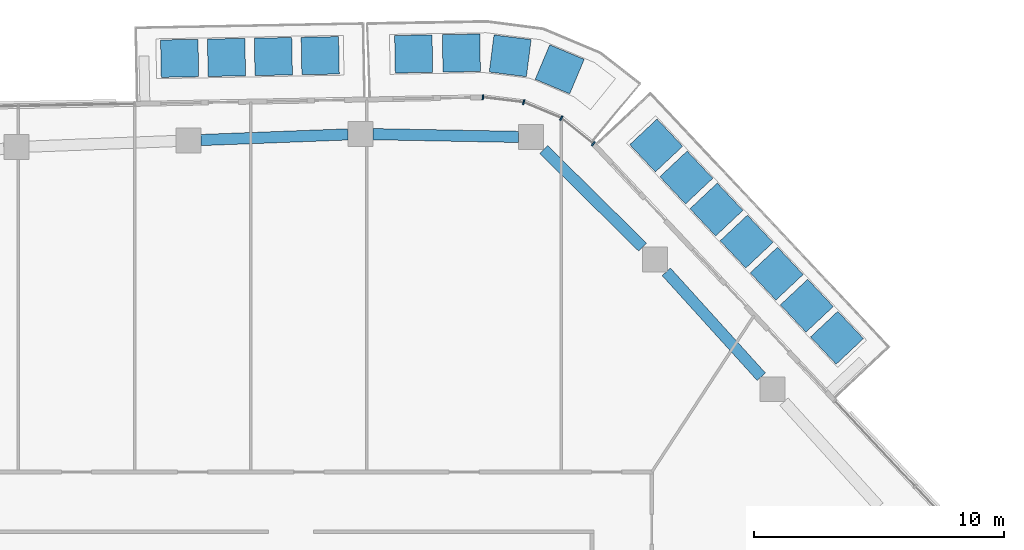
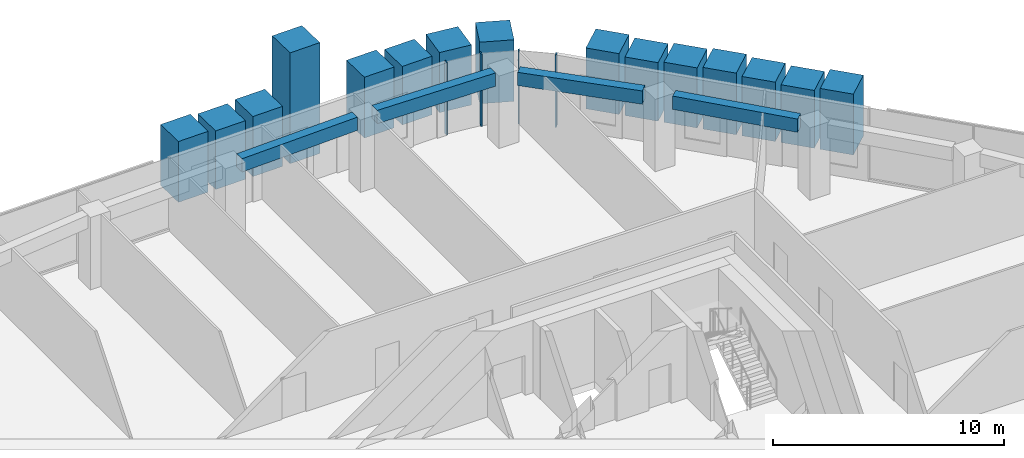
# One storey, part 9 of 24: 19 members, 4 beams, 1 element without a shape of its own.
"""IFC4 building model written with IfcOpenShell, lengths in metres."""

from ifc_helpers import new_model, si_unit, direction, frame, origin, origin_2d, place, context, subcontext, project, spatial, rectangle, extrude, material, layer, layer_set, material_profile, profile_set, type_object, element, aggregate, save


model = new_model("IFC4")

# Units and contexts
model_context = context("Model", 3, precision=1e-05, world=origin(), true_north=direction((0.0, 1.0)))
body_context = subcontext(model_context, "Body", "Model", "MODEL_VIEW")
ifc_project = project(units=[si_unit("LENGTHUNIT", "METRE"), si_unit("AREAUNIT", "SQUARE_METRE"), si_unit("VOLUMEUNIT", "CUBIC_METRE"), si_unit("PLANEANGLEUNIT", "RADIAN"), si_unit("MASSUNIT", "GRAM", prefix="KILO")], contexts=[model_context])

# Site, building, storey
site_placement = place(None, origin())
site = spatial("IfcSite", under=ifc_project, at=site_placement, CompositionType="ELEMENT")
building_placement = place(site_placement, origin())
building = spatial("IfcBuilding", under=site, at=building_placement, Name="Dongbaek Canopy Tower", CompositionType="ELEMENT")
storey_placement = place(building_placement, frame((0.0, 0.0, 302.60009765625)))
storey = spatial("IfcBuildingStorey", under=building, at=storey_placement, Name="L64", CompositionType="ELEMENT", Elevation=302.60009765625)

# Curtain wall, members
ifc_material_1 = material(Name="Aluminium 6063-T6 pale anodised", Category="aluminium")
ifc_layer = layer(ifc_material_1, 0.199951171875)
ifc_layer_set = layer_set([ifc_layer], Name="CW-1 unitised tower curtain wall")
curtain_wall_type = type_object("IfcCurtainWallType", Name="CW-1 unitised tower curtain wall", PredefinedType="NOTDEFINED", material=ifc_layer_set)
curtain_wall_placement = place(storey_placement, origin())
curtain_wall = element("IfcCurtainWall", 1, at=curtain_wall_placement, inside=storey, type_object=curtain_wall_type, Name="CW-1 curtain wall K1.1", PredefinedType="NOTDEFINED")
ifc_material_2 = material(Name="Aluminium 6063-T6 pale anodised", Category="aluminium")
ifc_material_profile_1 = material_profile(ifc_material_2, rectangle(XDim=0.199951171875, YDim=0.06005859375, at=origin_2d()), Name="CW-1 mullion 60 x 200")
ifc_profile_set_1 = profile_set([ifc_material_profile_1], Name="Aluminium 6063-T6 pale anodised")
member_type_1 = type_object("IfcMemberType", Name="CW-1 mullion 60 x 200", PredefinedType="MULLION", material=ifc_profile_set_1)
member_1_placement = place(storey_placement, frame((14.805419921875, 27.29736328125, 0.0), z_axis=(0.0, 0.0, 1.0), x_axis=(0.626615855396, 0.779328281128, 0.0)))
member_1 = element("IfcMember", 2, at=member_1_placement, type_object=member_type_1, Name="CW-1 mullion K1.1.1", PredefinedType="MULLION", context=body_context, shape_type="SweptSolid", body=[
    extrude(rectangle(XDim=0.199951171875, YDim=0.06005859375, at=origin_2d()), origin(), (0.0, 0.0, 1.0), 3.81982421875),
])
member_2_placement = place(storey_placement, frame((13.524169921875, 28.32763671875, 0.0), z_axis=(0.0, 0.0, 1.0), x_axis=(0.512403508149, 0.85874480775, 0.0)))
member_2 = element("IfcMember", 3, at=member_2_placement, type_object=member_type_1, Name="CW-1 mullion K1.1.2", PredefinedType="MULLION", context=body_context, shape_type="SweptSolid", body=[
    extrude(rectangle(XDim=0.199951171875, YDim=0.06005859375, at=origin_2d()), origin(), (0.0, 0.0, 1.0), 3.81982421875),
])
member_3_placement = place(storey_placement, frame((12.015380859375, 28.96337890625, 0.0), z_axis=(0.0, 0.0, 1.0), x_axis=(0.256633626834, 0.966508759183, 0.0)))
member_3 = element("IfcMember", 4, at=member_3_placement, type_object=member_type_1, Name="CW-1 mullion K1.1.3", PredefinedType="MULLION", context=body_context, shape_type="SweptSolid", body=[
    extrude(rectangle(XDim=0.199951171875, YDim=0.06005859375, at=origin_2d()), origin(), (0.0, 0.0, 1.0), 3.81982421875),
])
member_4_placement = place(storey_placement, frame((10.3828125, 29.16064453125, 0.0), z_axis=(0.0, 0.0, 1.0), x_axis=(0.120025609533, 0.992770795832, 0.0)))
member_4 = element("IfcMember", 5, at=member_4_placement, type_object=member_type_1, Name="CW-1 mullion K1.1.4", PredefinedType="MULLION", context=body_context, shape_type="SweptSolid", body=[
    extrude(rectangle(XDim=0.199951171875, YDim=0.06005859375, at=origin_2d()), origin(), (0.0, 0.0, 1.0), 3.81982421875),
])
aggregate(curtain_wall, [member_1, member_2, member_3, member_4])

# Beams
ifc_material_3 = material(Name="Concrete C60", Category="concrete")
ifc_material_profile_2 = material_profile(ifc_material_3, rectangle(XDim=0.449951171875, YDim=0.699951171875, at=origin_2d()), Name="RC EDGE BEAM 450x700 C60")
ifc_profile_set_2 = profile_set([ifc_material_profile_2], Name="Concrete C60")
beam_type = type_object("IfcBeamType", Name="RC EDGE BEAM 450x700 C60", PredefinedType="BEAM", material=ifc_profile_set_2)
beam_1_placement = place(storey_placement, frame((-0.91796875, 27.447265625, 3.469970703125), z_axis=(0.999267098379, 0.038278794366, 0.0), x_axis=(-0.038278794366, 0.999267098379, 0.0)))
element("IfcBeam", 6, at=beam_1_placement, inside=storey, type_object=beam_type, Name="EDGEBEAM:L64:15", PredefinedType="BEAM", context=body_context, shape_type="SweptSolid", body=[
    extrude(rectangle(XDim=0.449951171875, YDim=0.699951171875, at=origin_2d()), origin(), (0.0, 0.0, 1.0), 5.893310546875),
])
beam_2_placement = place(storey_placement, frame((5.970947265625, 27.6826171875, 3.469970703125), z_axis=(0.99982249395, -0.018840928625, 0.0), x_axis=(0.018840928625, 0.99982249395, 0.0)))
element("IfcBeam", 7, at=beam_2_placement, inside=storey, type_object=beam_type, Name="EDGEBEAM:L64:16", PredefinedType="BEAM", context=body_context, shape_type="SweptSolid", body=[
    extrude(rectangle(XDim=0.449951171875, YDim=0.699951171875, at=origin_2d()), origin(), (0.0, 0.0, 1.0), 5.843994140625),
])
beam_3_placement = place(storey_placement, frame((12.81396484375, 27.069580078125, 3.469970703125), z_axis=(0.711740530271, -0.702442465665, 0.0), x_axis=(0.702442465665, 0.711740530271, 0.0)))
element("IfcBeam", 8, at=beam_3_placement, inside=storey, type_object=beam_type, Name="EDGEBEAM:L64:17", PredefinedType="BEAM", context=body_context, shape_type="SweptSolid", body=[
    extrude(rectangle(XDim=0.449951171875, YDim=0.699951171875, at=origin_2d()), origin(), (0.0, 0.0, 1.0), 5.56640625),
])
beam_4_placement = place(storey_placement, frame((17.72900390625, 22.166015625, 3.469970703125), z_axis=(0.67133921348, -0.741150227986, 0.0), x_axis=(0.741150227986, 0.67133921348, 0.0)))
element("IfcBeam", 9, at=beam_4_placement, inside=storey, type_object=beam_type, Name="EDGEBEAM:L64:18", PredefinedType="BEAM", context=body_context, shape_type="SweptSolid", body=[
    extrude(rectangle(XDim=0.449951171875, YDim=0.699951171875, at=origin_2d()), origin(), (0.0, 0.0, 1.0), 5.67236328125),
])

# Members
ifc_material_4 = material(Name="Concrete C40/50 planter mass with planting", Category="concrete")
ifc_material_profile_3 = material_profile(ifc_material_4, rectangle(XDim=1.5, YDim=1.5, at=origin_2d()), Name="Terrace PLANTER shrub mass 1500 x 1500")
ifc_profile_set_3 = profile_set([ifc_material_profile_3], Name="Concrete C40/50 planter mass with planting")
member_type_2 = type_object("IfcMemberType", Name="Terrace PLANTER shrub mass 1500 x 1500", PredefinedType="USERDEFINED", material=ifc_profile_set_3)
member_5_placement = place(storey_placement, frame((24.567138671875, 19.524169921875, 0.419921875), z_axis=(0.0, 0.0, 1.0), x_axis=(0.728702280393, 0.684830626177, 0.0)))
element("IfcMember", 10, at=member_5_placement, inside=storey, type_object=member_type_2, Name="Planter shrubs L64 1.1", ObjectType="PLANTER", PredefinedType="USERDEFINED", context=body_context, shape_type="SweptSolid", body=[
    extrude(rectangle(XDim=1.5, YDim=1.5, at=origin_2d()), origin(), (0.0, 0.0, 1.0), 3.2099609375),
])
member_6_placement = place(storey_placement, frame((23.360107421875, 20.80859375, 0.419921875), z_axis=(0.0, 0.0, 1.0), x_axis=(0.728702280393, 0.684830626177, 0.0)))
element("IfcMember", 11, at=member_6_placement, inside=storey, type_object=member_type_2, Name="Planter shrubs L64 1.2", ObjectType="PLANTER", PredefinedType="USERDEFINED", context=body_context, shape_type="SweptSolid", body=[
    extrude(rectangle(XDim=1.5, YDim=1.5, at=origin_2d()), origin(), (0.0, 0.0, 1.0), 3.050048828125),
])
member_7_placement = place(storey_placement, frame((22.153076171875, 22.0927734375, 0.419921875), z_axis=(0.0, 0.0, 1.0), x_axis=(0.728702280393, 0.684830626177, 0.0)))
element("IfcMember", 12, at=member_7_placement, inside=storey, type_object=member_type_2, Name="Planter shrubs L64 1.3", ObjectType="PLANTER", PredefinedType="USERDEFINED", context=body_context, shape_type="SweptSolid", body=[
    extrude(rectangle(XDim=1.5, YDim=1.5, at=origin_2d()), origin(), (0.0, 0.0, 1.0), 3.1298828125),
])
member_8_placement = place(storey_placement, frame((20.946044921875, 23.377197265625, 0.419921875), z_axis=(0.0, 0.0, 1.0), x_axis=(0.728702280393, 0.684830626177, 0.0)))
element("IfcMember", 13, at=member_8_placement, inside=storey, type_object=member_type_2, Name="Planter shrubs L64 1.4", ObjectType="PLANTER", PredefinedType="USERDEFINED", context=body_context, shape_type="SweptSolid", body=[
    extrude(rectangle(XDim=1.5, YDim=1.5, at=origin_2d()), origin(), (0.0, 0.0, 1.0), 3.25),
])
member_9_placement = place(storey_placement, frame((19.739013671875, 24.66162109375, 0.419921875), z_axis=(0.0, 0.0, 1.0), x_axis=(0.728702280393, 0.684830626177, 0.0)))
element("IfcMember", 14, at=member_9_placement, inside=storey, type_object=member_type_2, Name="Planter shrubs L64 1.5", ObjectType="PLANTER", PredefinedType="USERDEFINED", context=body_context, shape_type="SweptSolid", body=[
    extrude(rectangle(XDim=1.5, YDim=1.5, at=origin_2d()), origin(), (0.0, 0.0, 1.0), 3.169921875),
])
member_10_placement = place(storey_placement, frame((18.531982421875, 25.94580078125, 0.419921875), z_axis=(0.0, 0.0, 1.0), x_axis=(0.728702280393, 0.684830626177, 0.0)))
element("IfcMember", 15, at=member_10_placement, inside=storey, type_object=member_type_2, Name="Planter shrubs L64 1.6", ObjectType="PLANTER", PredefinedType="USERDEFINED", context=body_context, shape_type="SweptSolid", body=[
    extrude(rectangle(XDim=1.5, YDim=1.5, at=origin_2d()), origin(), (0.0, 0.0, 1.0), 3.090087890625),
])
member_11_placement = place(storey_placement, frame((17.324951171875, 27.230224609375, 0.419921875), z_axis=(0.0, 0.0, 1.0), x_axis=(0.728702280393, 0.684830626177, 0.0)))
element("IfcMember", 16, at=member_11_placement, inside=storey, type_object=member_type_2, Name="Planter shrubs L64 1.7", ObjectType="PLANTER", PredefinedType="USERDEFINED", context=body_context, shape_type="SweptSolid", body=[
    extrude(rectangle(XDim=1.5, YDim=1.5, at=origin_2d()), origin(), (0.0, 0.0, 1.0), 3.2099609375),
])
member_12_placement = place(storey_placement, frame((3.862548828125, 30.82763671875, 0.419921875), z_axis=(0.0, 0.0, 1.0), x_axis=(-0.018905076744, 0.999821283067, 0.0)))
element("IfcMember", 17, at=member_12_placement, inside=storey, type_object=member_type_2, Name="Planter tree L64 2.1", ObjectType="PLANTER", PredefinedType="USERDEFINED", context=body_context, shape_type="SweptSolid", body=[
    extrude(rectangle(XDim=1.5, YDim=1.5, at=origin_2d()), origin(), (0.0, 0.0, 1.0), 5.85009765625),
])
member_13_placement = place(storey_placement, frame((1.98486328125, 30.792236328125, 0.419921875), z_axis=(0.0, 0.0, 1.0), x_axis=(-0.018905076744, 0.999821283067, 0.0)))
element("IfcMember", 18, at=member_13_placement, inside=storey, type_object=member_type_2, Name="Planter shrubs L64 2.2", ObjectType="PLANTER", PredefinedType="USERDEFINED", context=body_context, shape_type="SweptSolid", body=[
    extrude(rectangle(XDim=1.5, YDim=1.5, at=origin_2d()), origin(), (0.0, 0.0, 1.0), 3.169921875),
])
member_14_placement = place(storey_placement, frame((0.107421875, 30.756591796875, 0.419921875), z_axis=(0.0, 0.0, 1.0), x_axis=(-0.018905076744, 0.999821283067, 0.0)))
element("IfcMember", 19, at=member_14_placement, inside=storey, type_object=member_type_2, Name="Planter shrubs L64 2.3", ObjectType="PLANTER", PredefinedType="USERDEFINED", context=body_context, shape_type="SweptSolid", body=[
    extrude(rectangle(XDim=1.5, YDim=1.5, at=origin_2d()), origin(), (0.0, 0.0, 1.0), 3.090087890625),
])
member_15_placement = place(storey_placement, frame((-1.77001953125, 30.72119140625, 0.419921875), z_axis=(0.0, 0.0, 1.0), x_axis=(-0.018905076744, 0.999821283067, 0.0)))
element("IfcMember", 20, at=member_15_placement, inside=storey, type_object=member_type_2, Name="Planter shrubs L64 2.4", ObjectType="PLANTER", PredefinedType="USERDEFINED", context=body_context, shape_type="SweptSolid", body=[
    extrude(rectangle(XDim=1.5, YDim=1.5, at=origin_2d()), origin(), (0.0, 0.0, 1.0), 3.2099609375),
])
member_16_placement = place(storey_placement, frame((13.458251953125, 30.280029296875, 0.419921875), z_axis=(0.0, 0.0, 1.0), x_axis=(0.38827541263, 0.921543381479, 0.0)))
element("IfcMember", 21, at=member_16_placement, inside=storey, type_object=member_type_2, Name="Planter shrubs L64 6.1", ObjectType="PLANTER", PredefinedType="USERDEFINED", context=body_context, shape_type="SweptSolid", body=[
    extrude(rectangle(XDim=1.5, YDim=1.5, at=origin_2d()), origin(), (0.0, 0.0, 1.0), 3.25),
])
member_17_placement = place(storey_placement, frame((11.474365234375, 30.821533203125, 0.419921875), z_axis=(0.0, 0.0, 1.0), x_axis=(0.126056164569, 0.99202310627, 0.0)))
element("IfcMember", 22, at=member_17_placement, inside=storey, type_object=member_type_2, Name="Planter shrubs L64 6.2", ObjectType="PLANTER", PredefinedType="USERDEFINED", context=body_context, shape_type="SweptSolid", body=[
    extrude(rectangle(XDim=1.5, YDim=1.5, at=origin_2d()), origin(), (0.0, 0.0, 1.0), 3.169921875),
])
member_18_placement = place(storey_placement, frame((9.51806640625, 30.931640625, 0.419921875), z_axis=(0.0, 0.0, 1.0), x_axis=(-0.017834727748, 0.999840948594, 0.0)))
element("IfcMember", 23, at=member_18_placement, inside=storey, type_object=member_type_2, Name="Planter shrubs L64 6.3", ObjectType="PLANTER", PredefinedType="USERDEFINED", context=body_context, shape_type="SweptSolid", body=[
    extrude(rectangle(XDim=1.5, YDim=1.5, at=origin_2d()), origin(), (0.0, 0.0, 1.0), 3.090087890625),
])
member_19_placement = place(storey_placement, frame((7.606689453125, 30.8974609375, 0.419921875), z_axis=(0.0, 0.0, 1.0), x_axis=(-0.017834727748, 0.999840948594, 0.0)))
element("IfcMember", 24, at=member_19_placement, inside=storey, type_object=member_type_2, Name="Planter shrubs L64 6.4", ObjectType="PLANTER", PredefinedType="USERDEFINED", context=body_context, shape_type="SweptSolid", body=[
    extrude(rectangle(XDim=1.5, YDim=1.5, at=origin_2d()), origin(), (0.0, 0.0, 1.0), 3.2099609375),
])

save(model, "model.ifc")
